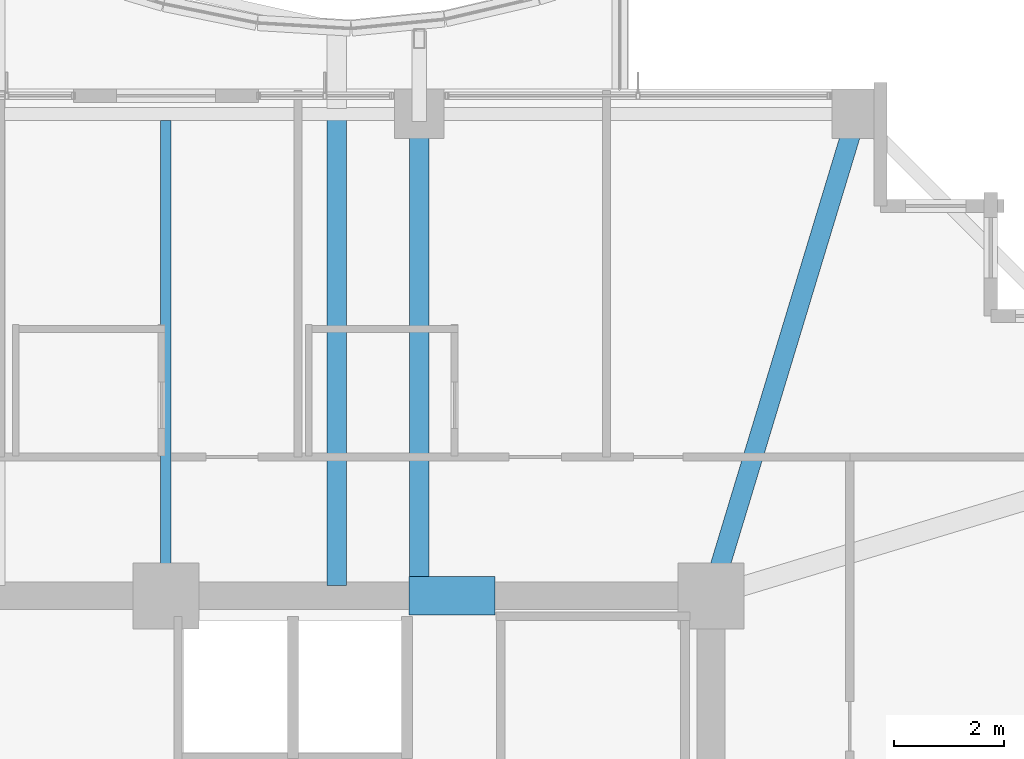
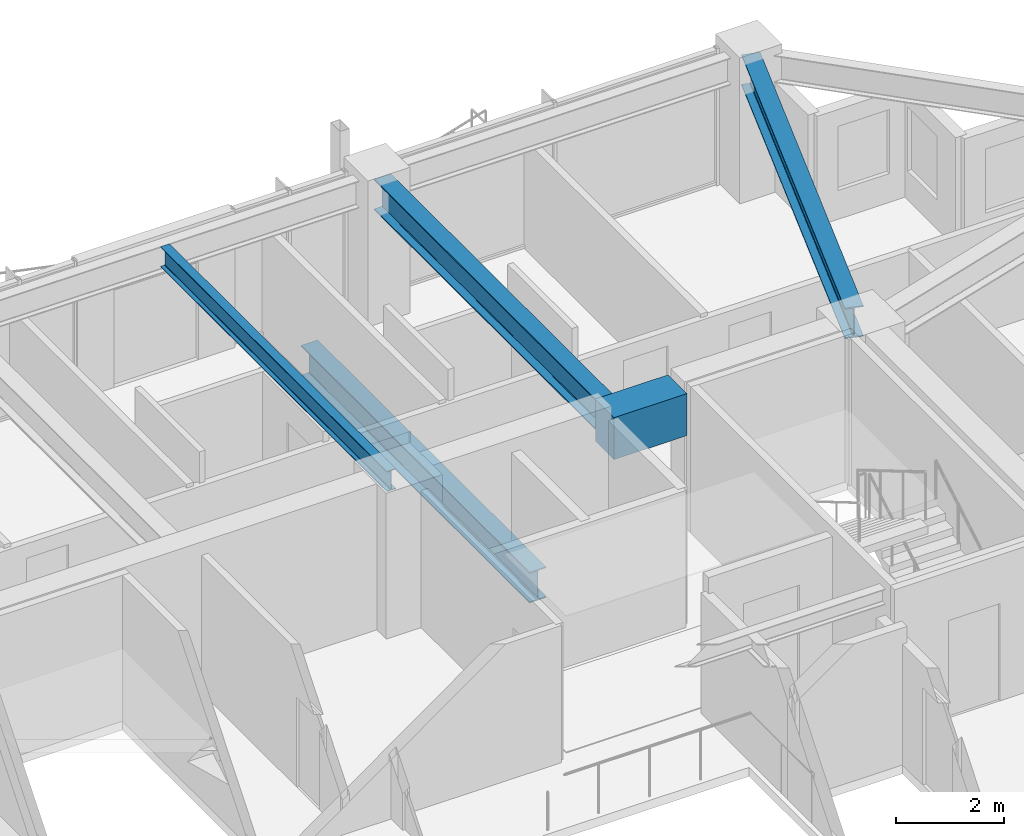
# One storey, part 17 of 32: 5 beams.
"""IFC4 building model written with IfcOpenShell, lengths in metres."""

from ifc_helpers import new_model, si_unit, direction, frame, origin, origin_2d, place, context, subcontext, project, spatial, rectangle, i_section, extrude, material, material_profile, profile_set, type_object, element, save


model = new_model("IFC4")

# Units and contexts
model_context = context("Model", 3, precision=1e-05, world=origin(), true_north=direction((0.0, 1.0)))
body_context = subcontext(model_context, "Body", "Model", "MODEL_VIEW")
ifc_project = project(units=[si_unit("LENGTHUNIT", "METRE"), si_unit("AREAUNIT", "SQUARE_METRE"), si_unit("VOLUMEUNIT", "CUBIC_METRE"), si_unit("PLANEANGLEUNIT", "RADIAN"), si_unit("MASSUNIT", "GRAM", prefix="KILO")], contexts=[model_context])

# Site, building, storey
site_placement = place(None, origin())
site = spatial("IfcSite", under=ifc_project, at=site_placement, CompositionType="ELEMENT")
building_placement = place(site_placement, origin())
building = spatial("IfcBuilding", under=site, at=building_placement, Name="Kolvaren Belvedere", CompositionType="ELEMENT")
storey_placement = place(building_placement, frame((0.0, 0.0, 160.199951171875)))
storey = spatial("IfcBuildingStorey", under=building, at=storey_placement, Name="L46", CompositionType="ELEMENT", Elevation=160.199951171875)

# Beams
ifc_material_1 = material(Name="Structural steel ASTM A992 Grade 50", Category="steel")
ifc_material_profile_1 = material_profile(ifc_material_1, i_section(OverallWidth=0.35498046875, OverallDepth=0.696044921875, WebThickness=0.015380859375, FlangeThickness=0.02490234375, FilletRadius=0.02197265625, at=origin_2d()), Name="W27X146")
ifc_profile_set_1 = profile_set([ifc_material_profile_1], Name="Structural steel ASTM A992 Grade 50")
beam_type_1 = type_object("IfcBeamType", Name="BM-GIRD-W27X146", PredefinedType="BEAM", material=ifc_profile_set_1)
beam_1_placement = place(storey_placement, frame((3.10009765625, 10.090087890625, -0.5478515625), z_axis=(0.0, 1.0, 0.0), x_axis=(-1.0, 0.0, 0.0)))
element("IfcBeam", 1, at=beam_1_placement, inside=storey, type_object=beam_type_1, Name="L46 Balcony Interior Back-Span Girder BAL-N-2", PredefinedType="BEAM", context=body_context, shape_type="SweptSolid", body=[
    extrude(i_section(OverallWidth=0.35498046875, OverallDepth=0.696044921875, WebThickness=0.015380859375, FlangeThickness=0.02490234375, FilletRadius=0.02197265625, at=origin_2d()), origin(), (0.0, 0.0, 1.0), 8.46484375),
])
beam_2_placement = place(storey_placement, frame((4.60009765625, 10.14990234375, 2.751953125), z_axis=(0.0, 1.0, 0.0), x_axis=(-1.0, 0.0, 0.0)))
element("IfcBeam", 2, at=beam_2_placement, inside=storey, type_object=beam_type_1, Name="L46 North Radial Girder P", PredefinedType="BEAM", context=body_context, shape_type="SweptSolid", body=[
    extrude(i_section(OverallWidth=0.35498046875, OverallDepth=0.696044921875, WebThickness=0.015380859375, FlangeThickness=0.02490234375, FilletRadius=0.02197265625, at=origin_2d()), origin(), (0.0, 0.0, 1.0), 8.297607421875),
])
beam_3_placement = place(storey_placement, frame((10.059326171875, 10.426513671875, 2.751953125), z_axis=(0.289865629086, 0.957067352423, 0.0), x_axis=(-0.957067352423, 0.289865629086, 0.0)))
element("IfcBeam", 3, at=beam_3_placement, inside=storey, type_object=beam_type_1, Name="L46 Corner Core-to-Perimeter Girder CC3-N4", PredefinedType="BEAM", context=body_context, shape_type="SweptSolid", body=[
    extrude(i_section(OverallWidth=0.35498046875, OverallDepth=0.696044921875, WebThickness=0.015380859375, FlangeThickness=0.02490234375, FilletRadius=0.02197265625, at=origin_2d()), origin(), (0.0, 0.0, 1.0), 8.412353515625),
])
ifc_material_2 = material(Name="Structural steel ASTM A992 Grade 50", Category="steel")
ifc_material_profile_2 = material_profile(ifc_material_2, i_section(OverallWidth=0.19091796875, OverallDepth=0.4599609375, WebThickness=0.010009765625, FlangeThickness=0.01611328125, FilletRadius=0.014892578125, at=origin_2d()), Name="W18X55")
ifc_profile_set_2 = profile_set([ifc_material_profile_2], Name="Structural steel ASTM A992 Grade 50")
beam_type_2 = type_object("IfcBeamType", Name="BM-JOIST-W18X55", PredefinedType="BEAM", material=ifc_profile_set_2)
beam_4_placement = place(storey_placement, frame((0.0, 10.14990234375, 2.8701171875), z_axis=(0.0, 1.0, 0.0), x_axis=(-1.0, 0.0, 0.0)))
element("IfcBeam", 4, at=beam_4_placement, inside=storey, type_object=beam_type_2, Name="L46 North Centre Floor Beam", PredefinedType="BEAM", context=body_context, shape_type="SweptSolid", body=[
    extrude(i_section(OverallWidth=0.19091796875, OverallDepth=0.4599609375, WebThickness=0.010009765625, FlangeThickness=0.01611328125, FilletRadius=0.014892578125, at=origin_2d()), origin(), (0.0, 0.0, 1.0), 8.385498046875),
])
ifc_material_3 = material(Name="Concrete C60/75", Category="concrete")
ifc_material_profile_3 = material_profile(ifc_material_3, rectangle(XDim=0.699951171875, YDim=0.949951171875, at=origin_2d()), Name="RC 700X950")
ifc_profile_set_3 = profile_set([ifc_material_profile_3], Name="Concrete C60/75")
beam_type_3 = type_object("IfcBeamType", Name="BM-LINT-950", PredefinedType="LINTEL", material=ifc_profile_set_3)
beam_5_placement = place(storey_placement, frame((4.419921875, 9.89990234375, 2.625), z_axis=(1.0, 0.0, 0.0), x_axis=(0.0, 1.0, 0.0)))
element("IfcBeam", 5, at=beam_5_placement, inside=storey, type_object=beam_type_3, Name="L46 North Core Coupling Lintel", PredefinedType="LINTEL", context=body_context, shape_type="SweptSolid", body=[
    extrude(rectangle(XDim=0.699951171875, YDim=0.949951171875, at=origin_2d()), origin(), (0.0, 0.0, 1.0), 1.56005859375),
])

save(model, "model.ifc")
